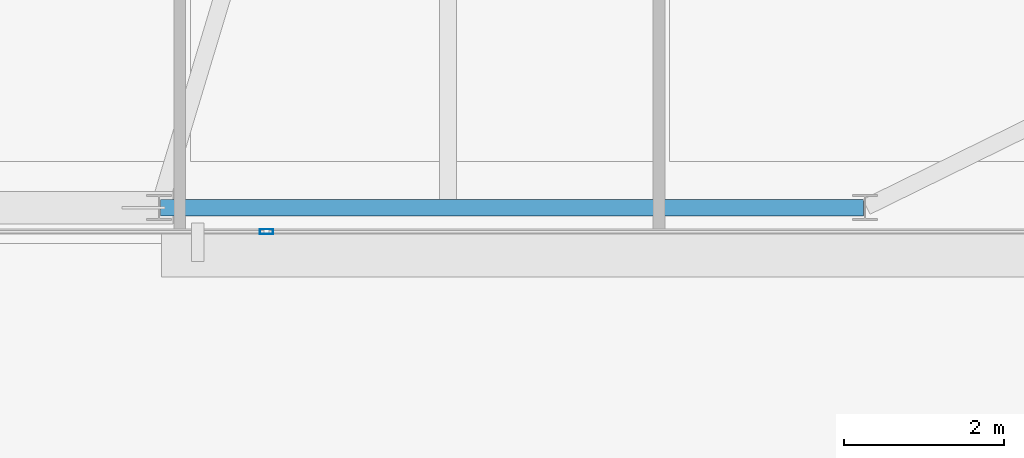
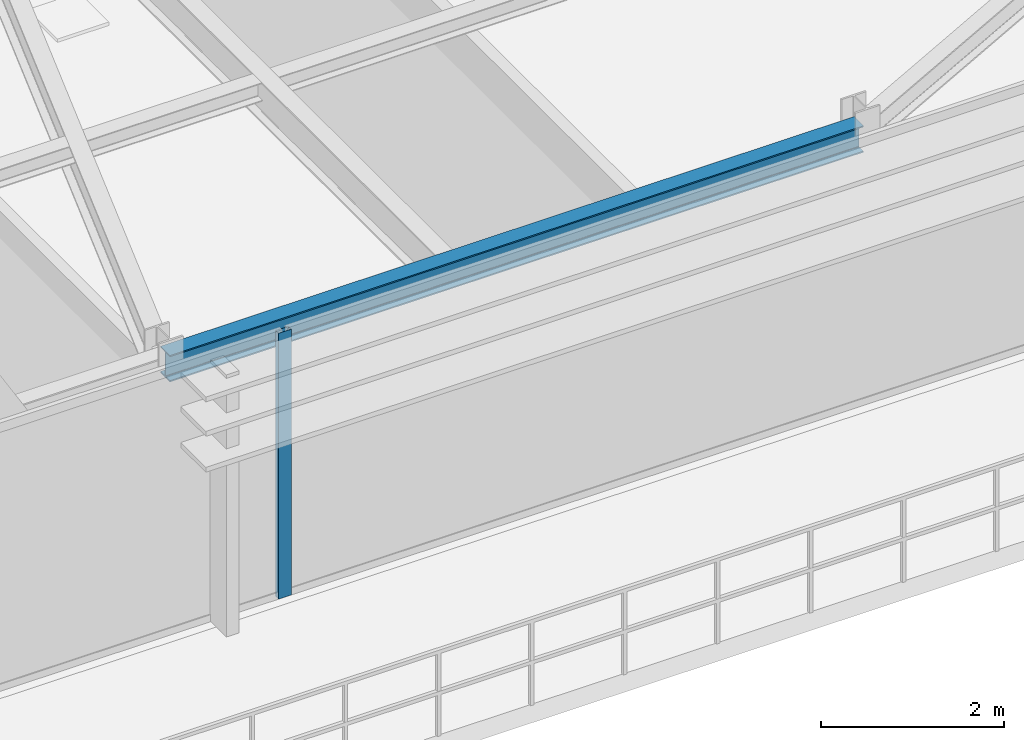
# One storey, part 7 of 25: 1 beam, 1 member, 1 element without a shape of its own.
"""IFC4 building model written with IfcOpenShell, lengths in metres."""

from ifc_helpers import new_model, si_unit, direction, frame, origin, origin_2d, place, context, subcontext, project, spatial, hollow_rectangle, i_section, extrude, source, transform, mapped, material, layer, layer_set, material_profile, profile_set, type_object, type_shapes, element, aggregate, save


model = new_model("IFC4")

# Units and contexts
model_context = context("Model", 3, precision=1e-05, world=origin(), true_north=direction((0.0, 1.0)))
body_context = subcontext(model_context, "Body", "Model", "MODEL_VIEW")
ifc_project = project(units=[si_unit("LENGTHUNIT", "METRE"), si_unit("AREAUNIT", "SQUARE_METRE"), si_unit("VOLUMEUNIT", "CUBIC_METRE"), si_unit("PLANEANGLEUNIT", "RADIAN"), si_unit("MASSUNIT", "GRAM", prefix="KILO")], contexts=[model_context])

# Site, building, storey
site_placement = place(None, origin())
site = spatial("IfcSite", under=ifc_project, at=site_placement, CompositionType="ELEMENT")
building_placement = place(site_placement, origin())
building = spatial("IfcBuilding", under=site, at=building_placement, Name="Varnel Quay Broadcast Tower", CompositionType="ELEMENT")
storey_placement = place(building_placement, frame((0.0, 0.0, 258.39990234375)))
storey = spatial("IfcBuildingStorey", under=building, at=storey_placement, Name="L64", CompositionType="ELEMENT", Elevation=258.39990234375)

# Beam
ifc_material_1 = material(Name="Structural Steel CSA G40.21 350W", Category="steel")
ifc_material_profile_1 = material_profile(ifc_material_1, i_section(OverallWidth=0.205078125, OverallDepth=0.35400390625, WebThickness=0.009521484375, FlangeThickness=0.016845703125, FilletRadius=0.012939453125, at=origin_2d()), Name="W360X79")
ifc_profile_set_1 = profile_set([ifc_material_profile_1], Name="Structural Steel CSA G40.21 350W")
beam_type = type_object("IfcBeamType", Name="Beam_W360X79", PredefinedType="SPANDREL", material=ifc_profile_set_1)
shared_shape_1 = source(origin(), body_context, "Body", "SweptSolid", [
    extrude(i_section(OverallWidth=0.205078125, OverallDepth=0.35400390625, WebThickness=0.009521484375, FlangeThickness=0.016845703125, FilletRadius=0.012939453125, at=origin_2d()), origin(), (0.0, 0.0, 1.0), 8.760009765625),
])
type_shapes(beam_type, [shared_shape_1])
beam_placement = place(storey_placement, frame((38.419921875, 13.64990234375, 3.373046875), z_axis=(1.0, 0.0, 0.0), x_axis=(0.0, 1.0, 0.0)))
element("IfcBeam", 1, at=beam_placement, inside=storey, type_object=beam_type, Name="L64 South Spandrel TC-S3-TC-S4", PredefinedType="SPANDREL", context=body_context, shape_type="MappedRepresentation", body=[
    mapped(shared_shape_1, transform((0.0, 0.0, 0.0), x_axis=(1.0, 0.0, 0.0), y_axis=(0.0, 1.0, 0.0), z_axis=(0.0, 0.0, 1.0), scale=1.0)),
])

# Curtain wall, member
ifc_material_2 = material(Name="Anodised Bronze Aluminium 6063-T6", Category="aluminium")
ifc_layer = layer(ifc_material_2, 0.18994140625, Name="Anodised Bronze Aluminium 6063-T6")
ifc_layer_set = layer_set([ifc_layer], Name="Anodised Bronze Aluminium 6063-T6")
curtain_wall_type = type_object("IfcCurtainWallType", Name="CW_UpperTower", PredefinedType="NOTDEFINED", material=ifc_layer_set)
curtain_wall_placement = place(storey_placement, origin())
curtain_wall = element("IfcCurtainWall", 2, at=curtain_wall_placement, inside=storey, type_object=curtain_wall_type, Name="L64 South Unitised Curtain Wall 2", PredefinedType="NOTDEFINED")
ifc_material_profile_2 = material_profile(ifc_material_2, hollow_rectangle(XDim=0.06494140625, YDim=0.1650390625, WallThickness=0.00341796875, at=origin_2d()), Name="ALU65X165X3.5")
ifc_profile_set_2 = profile_set([ifc_material_profile_2], Name="Anodised Bronze Aluminium 6063-T6")
member_type = type_object("IfcMemberType", Name="Mull_CWS-03", PredefinedType="MULLION", material=ifc_profile_set_2)
shared_shape_2 = source(origin(), body_context, "Body", "SweptSolid", [
    extrude(hollow_rectangle(XDim=0.06494140625, YDim=0.1650390625, WallThickness=0.00341796875, at=origin_2d()), origin(), (0.0, 0.0, 1.0), 3.550048828125),
])
type_shapes(member_type, [shared_shape_2])
member_placement = place(storey_placement, frame((39.739990234375, 13.35009765625, 0.0), z_axis=(0.0, 0.0, 1.0), x_axis=(0.0, 1.0, 0.0)))
member = element("IfcMember", 3, at=member_placement, type_object=member_type, Name="CWS-03 mullion 2", PredefinedType="MULLION", context=body_context, shape_type="MappedRepresentation", body=[
    mapped(shared_shape_2, transform((0.0, 0.0, 0.0), x_axis=(1.0, 0.0, 0.0), y_axis=(0.0, 1.0, 0.0), z_axis=(0.0, 0.0, 1.0), scale=1.0)),
])
aggregate(curtain_wall, [member])

save(model, "model.ifc")
